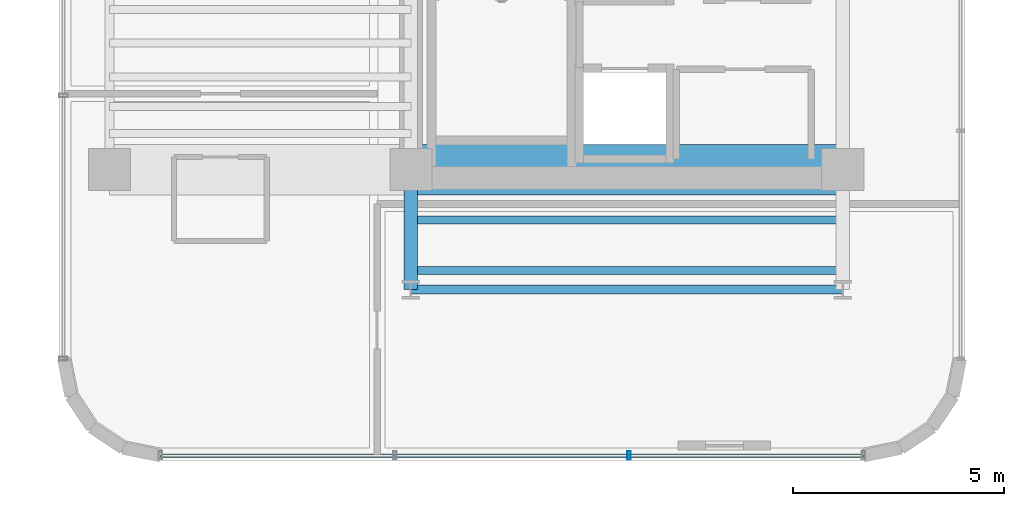
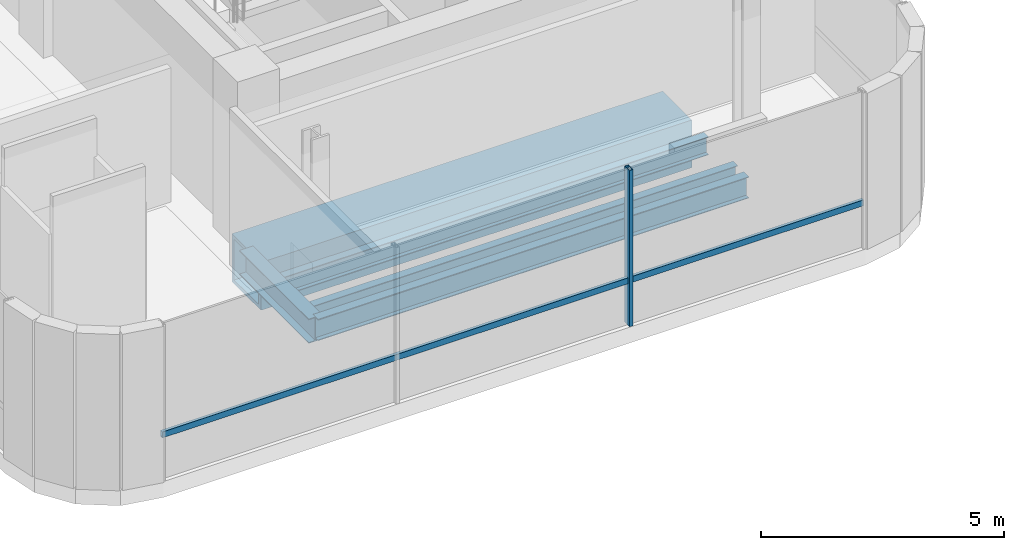
# One storey, part 3 of 37: 5 beams, 2 members, 1 element without a shape of its own.
"""IFC4 building model written with IfcOpenShell, lengths in metres."""

import ifcopenshell
import ifcopenshell.guid

model = None  # the IFC model being written
_history = None  # IfcOwnerHistory: only IFC2X3 demands one
_inside = {}  # id of a spatial element -> (the spatial element, [elements in it])
_under = {}  # id of a project, library or spatial element -> (it, [spatial elements below it])
_declared = {}  # id of a project -> (the project, [libraries it declares])
_typed = {}  # id of a type object -> (the type object, [elements of that type])
_made_of = {}  # id of a material, layer set ... -> (it, [elements and type objects made of it])


def new_model(schema):
    """Start an empty IFC model of exactly this schema.

    Asked for "IFC4X3", IfcOpenShell would pick the latest addendum, in which some entities
    have other attributes; the version numbers below select the first issue.
    IFC2X3 requires an IfcOwnerHistory on every rooted entity: one is made here for all.
    """
    global model, _history
    if schema == "IFC4X3":
        model = ifcopenshell.file(schema_version=(4, 3, 0, 0))
    else:
        model = ifcopenshell.file(schema=schema)
    _inside.clear()
    _under.clear()
    _declared.clear()
    _typed.clear()
    _made_of.clear()
    _history = None
    if model.schema == "IFC2X3":
        org = make("IfcOrganization", Name="unknown")
        user = make(
            "IfcPersonAndOrganization",
            ThePerson=make("IfcPerson", FamilyName="unknown"),
            TheOrganization=org,
        )
        app = make(
            "IfcApplication",
            ApplicationDeveloper=org,
            Version="unknown",
            ApplicationFullName="unknown",
            ApplicationIdentifier="unknown",
        )
        _history = make(
            "IfcOwnerHistory",
            OwningUser=user,
            OwningApplication=app,
            ChangeAction="ADDED",
            CreationDate=0,
        )
    return model


def make(cls, **values):
    """One entity of the class cls with the attributes given. An attribute that is None is left unset."""
    return model.create_entity(
        cls, **{name: value for name, value in values.items() if value is not None}
    )


def rooted(cls, **values):
    """An entity with a GlobalId (a new one), such as an element, a storey or a relation."""
    return make(cls, GlobalId=ifcopenshell.guid.new(), OwnerHistory=_history, **values)


def si_unit(unit_type, name, prefix=None):
    """IfcSIUnit, for example si_unit("LENGTHUNIT", "METRE", prefix="MILLI")."""
    return make("IfcSIUnit", UnitType=unit_type, Prefix=prefix, Name=name)


def assignment(units):
    """IfcUnitAssignment: the units of a project."""
    return None if units is None else make("IfcUnitAssignment", Units=units)


def point(xyz):
    """IfcCartesianPoint."""
    return None if xyz is None else make("IfcCartesianPoint", Coordinates=xyz)


def direction(xyz):
    """IfcDirection."""
    return None if xyz is None else make("IfcDirection", DirectionRatios=xyz)


def frame(location, z_axis=None, x_axis=None):
    """IfcAxis2Placement3D, a coordinate frame: its origin and axes. An axis left out is left unset."""
    return make(
        "IfcAxis2Placement3D",
        Location=point(location),
        Axis=direction(z_axis),
        RefDirection=direction(x_axis),
    )


def frame_2d(location, x_axis=None):
    """IfcAxis2Placement2D, a coordinate frame in the plane: its origin and x axis."""
    return make(
        "IfcAxis2Placement2D", Location=point(location), RefDirection=direction(x_axis)
    )


def origin():
    """The frame at (0, 0, 0) with its axes left unset."""
    return frame((0.0, 0.0, 0.0))


def origin_2d():
    """The frame at (0, 0) in the plane with its x axis left unset."""
    return frame_2d((0.0, 0.0))


def place(relative_to, where):
    """IfcLocalPlacement: puts the frame where relative to a parent placement (None: the world)."""
    return make(
        "IfcLocalPlacement", PlacementRelTo=relative_to, RelativePlacement=where
    )


def context(
    kind, dimensions, precision=None, world=None, true_north=None, identifier=None
):
    """IfcGeometricRepresentationContext, for example the 3D "Model" context."""
    return make(
        "IfcGeometricRepresentationContext",
        ContextIdentifier=identifier,
        ContextType=kind,
        CoordinateSpaceDimension=dimensions,
        Precision=precision,
        WorldCoordinateSystem=world,
        TrueNorth=true_north,
    )


def subcontext(parent, identifier, kind, view, scale=None):
    """IfcGeometricRepresentationSubContext, for example "Body" below "Model"."""
    return make(
        "IfcGeometricRepresentationSubContext",
        ContextIdentifier=identifier,
        ContextType=kind,
        ParentContext=parent,
        TargetScale=scale,
        TargetView=view,
    )


def project(units=None, contexts=None):
    """IfcProject with its units and contexts."""
    return rooted(
        "IfcProject",
        Name="project",
        RepresentationContexts=contexts,
        UnitsInContext=assignment(units),
    )


def spatial(cls, under=None, at=None, **own):
    """A site, building, storey or space (cls), placed at a placement, below another one or the project."""
    s = rooted(cls, ObjectPlacement=at, **own)
    if under is not None:
        _under.setdefault(under.id(), (under, []))[1].append(s)
    return s


def profile(cls, at=None, kind="AREA", **sizes):
    """A parametric profile (cls). Its sizes go by their IFC names, for example OverallWidth=200.0."""
    return make(cls, ProfileType=kind, Position=at, **sizes)


def hollow_rectangle(**sizes):
    """IfcRectangleHollowProfileDef."""
    return profile("IfcRectangleHollowProfileDef", **sizes)


def i_section(**sizes):
    """IfcIShapeProfileDef."""
    return profile("IfcIShapeProfileDef", **sizes)


def extrude(swept, where, along, depth):
    """IfcExtrudedAreaSolid: the profile swept, set in the frame where, extruded along a direction by depth."""
    return make(
        "IfcExtrudedAreaSolid",
        SweptArea=swept,
        Position=where,
        ExtrudedDirection=direction(along),
        Depth=depth,
    )


def shape(context_of_items, identifier, shape_type, items):
    """IfcShapeRepresentation: the items that make up one representation, for example the "Body"."""
    return make(
        "IfcShapeRepresentation",
        ContextOfItems=context_of_items,
        RepresentationIdentifier=identifier,
        RepresentationType=shape_type,
        Items=items,
    )


def source(mapping_origin, context_of_items, identifier, shape_type, items):
    """IfcRepresentationMap: a shape defined once, which mapped items show again and again."""
    return make(
        "IfcRepresentationMap",
        MappingOrigin=mapping_origin,
        MappedRepresentation=shape(context_of_items, identifier, shape_type, items),
    )


def transform(
    local_origin,
    x_axis=None,
    y_axis=None,
    z_axis=None,
    scale=None,
    scale2=None,
    scale3=None,
    uniform=True,
):
    """IfcCartesianTransformationOperator3D, or its non-uniform kind. x_axis, y_axis, z_axis: its Axis1, 2, 3."""
    if uniform:
        return make(
            "IfcCartesianTransformationOperator3D",
            Axis1=direction(x_axis),
            Axis2=direction(y_axis),
            LocalOrigin=point(local_origin),
            Scale=scale,
            Axis3=direction(z_axis),
        )
    return make(
        "IfcCartesianTransformationOperator3DnonUniform",
        Axis1=direction(x_axis),
        Axis2=direction(y_axis),
        LocalOrigin=point(local_origin),
        Scale=scale,
        Axis3=direction(z_axis),
        Scale2=scale2,
        Scale3=scale3,
    )


def mapped(mapping_source, mapping_target):
    """IfcMappedItem: shows the shape of a source again, moved by a transform."""
    return make(
        "IfcMappedItem", MappingSource=mapping_source, MappingTarget=mapping_target
    )


def material(Name=None, Category=None):
    """IfcMaterial."""
    return make("IfcMaterial", Name=Name, Category=Category)


def material_profile(
    of_material, cross_section, Name=None, Category=None, Priority=None
):
    """IfcMaterialProfile: a cross section and its material."""
    return make(
        "IfcMaterialProfile",
        Name=Name,
        Material=of_material,
        Profile=cross_section,
        Priority=Priority,
        Category=Category,
    )


def profile_set(profiles, Name=None, composite=None):
    """IfcMaterialProfileSet."""
    return make(
        "IfcMaterialProfileSet",
        Name=Name,
        MaterialProfiles=profiles,
        CompositeProfile=composite,
    )


def made_of(thing, what):
    """Note that an element or type object is made of a material, layer set ...; save() writes the relation."""
    if what is not None:
        _made_of.setdefault(what.id(), (what, []))[1].append(thing)
    return thing


def type_object(cls, material=None, **own):
    """A type object (cls), such as IfcWallType, which elements share."""
    return made_of(rooted(cls, **own), material)


def element(
    cls,
    number,
    at=None,
    inside=None,
    cuts=None,
    type_object=None,
    material=None,
    context=None,
    identifier="Body",
    shape_type=None,
    held_by="IfcProductDefinitionShape",
    body=None,
    shapes=None,
    **own,
):
    """One element of the class cls, such as IfcWall. Its Tag is "e" and its number.

    at: its placement. inside: the storey or other place that contains it. cuts: it is an
    opening in that element (IfcRelVoidsElement). A single representation is given by context,
    identifier, shape_type and body (its items); several are given by shapes. held_by: the class
    of the entity that holds the representations. save() writes the other relations.
    """
    e = rooted(cls, Tag="e%d" % number, ObjectPlacement=at, **own)
    if body is not None:
        shapes = [shape(context, identifier, shape_type, body)]
    if shapes is not None:
        e.Representation = make(held_by, Representations=shapes)
    if inside is not None:
        _inside.setdefault(inside.id(), (inside, []))[1].append(e)
    if cuts is not None:
        rooted(
            "IfcRelVoidsElement", RelatingBuildingElement=cuts, RelatedOpeningElement=e
        )
    if type_object is not None:
        _typed.setdefault(type_object.id(), (type_object, []))[1].append(e)
    return made_of(e, material)


def aggregate(whole, parts):
    """IfcRelAggregates: a whole, such as a stair, and the parts it consists of."""
    return rooted("IfcRelAggregates", RelatingObject=whole, RelatedObjects=parts)


def save(model, path):
    """Write the relations noted so far, then the file.

    IfcRelAggregates (storeys below a building ...), IfcRelContainedInSpatialStructure (elements
    in a storey), IfcRelDefinesByType, IfcRelAssociatesMaterial and IfcRelDeclares: one each for
    every whole, place, type object, material and project.
    """
    for whole, parts in _under.values():
        aggregate(whole, parts)
    for where, things in _inside.values():
        rooted(
            "IfcRelContainedInSpatialStructure",
            RelatedElements=things,
            RelatingStructure=where,
        )
    for kind, things in _typed.values():
        rooted("IfcRelDefinesByType", RelatedObjects=things, RelatingType=kind)
    for what, things in _made_of.values():
        rooted("IfcRelAssociatesMaterial", RelatedObjects=things, RelatingMaterial=what)
    for by, libraries in _declared.values():
        rooted("IfcRelDeclares", RelatingContext=by, RelatedDefinitions=libraries)
    model.write(path)


model = new_model("IFC4")

# Units and contexts
model_context = context("Model", 3, precision=1e-05, world=origin(), true_north=direction((0.0, 1.0)))
body_context = subcontext(model_context, "Body", "Model", "MODEL_VIEW")
ifc_project = project(units=[si_unit("LENGTHUNIT", "METRE"), si_unit("AREAUNIT", "SQUARE_METRE"), si_unit("VOLUMEUNIT", "CUBIC_METRE"), si_unit("PLANEANGLEUNIT", "RADIAN"), si_unit("MASSUNIT", "GRAM", prefix="KILO")], contexts=[model_context])

# Site, building, storey
site_placement = place(None, origin())
site = spatial("IfcSite", under=ifc_project, at=site_placement, CompositionType="ELEMENT")
building_placement = place(site_placement, origin())
building = spatial("IfcBuilding", under=site, at=building_placement, Name="Valdorenza Pilgrim Sanctuary Tower", CompositionType="ELEMENT")
storey_placement = place(building_placement, frame((0.0, 0.0, 172.300048828125)))
storey = spatial("IfcBuildingStorey", under=building, at=storey_placement, Name="L44", CompositionType="ELEMENT", Elevation=172.300048828125)

# Beams
ifc_material_1 = material(Name="Steel ASTM A992 Grade 50", Category="steel")
ifc_material_profile_1 = material_profile(ifc_material_1, i_section(OverallWidth=0.323974609375, OverallDepth=0.611083984375, WebThickness=0.0126953125, FlangeThickness=0.01904296875, at=origin_2d()), Name="W24X104")
ifc_profile_set_1 = profile_set([ifc_material_profile_1], Name="Steel ASTM A992 Grade 50")
beam_type_1 = type_object("IfcBeamType", Name="STR-BM-GRD-W24B", PredefinedType="BEAM", material=ifc_profile_set_1)
shared_shape_1 = source(origin(), body_context, "Body", "SweptSolid", [
    extrude(i_section(OverallWidth=0.323974609375, OverallDepth=0.611083984375, WebThickness=0.0126953125, FlangeThickness=0.01904296875, at=origin_2d()), origin(), (0.0, 0.0, 1.0), 2.849853515625),
])
beam_1_placement = place(storey_placement, frame((-22.64990234375, -13.449951171875, -0.70556640625), z_axis=(0.0, 1.0, 0.0), x_axis=(-1.0, 0.0, 0.0)))
element("IfcBeam", 1, at=beam_1_placement, inside=storey, type_object=beam_type_1, Name="L44 Floor Girder WA-S-LW", PredefinedType="BEAM", context=body_context, shape_type="MappedRepresentation", body=[
    mapped(shared_shape_1, transform((0.0, 0.0, 0.0), x_axis=(1.0, 0.0, 0.0), y_axis=(0.0, 1.0, 0.0), z_axis=(0.0, 0.0, 1.0), scale=1.0)),
])
ifc_material_2 = material(Name="Steel ASTM A572 Grade 42", Category="steel")
ifc_material_profile_2 = material_profile(ifc_material_2, hollow_rectangle(XDim=1.199951171875, YDim=1.199951171875, WallThickness=0.090087890625, at=origin_2d()), Name="BOX 1200x1200x90")
ifc_profile_set_2 = profile_set([ifc_material_profile_2], Name="Steel ASTM A572 Grade 42")
beam_type_2 = type_object("IfcBeamType", Name="STR-BM-TRF-1200", PredefinedType="BEAM", material=ifc_profile_set_2)
shared_shape_2 = source(origin(), body_context, "Body", "SweptSolid", [
    extrude(hollow_rectangle(XDim=1.199951171875, YDim=1.199951171875, WallThickness=0.090087890625, at=origin_2d()), origin(), (0.0, 0.0, 1.0), 10.25),
])
beam_2_placement = place(storey_placement, frame((-22.64990234375, -10.60009765625, -1.0), z_axis=(1.0, 0.0, 0.0), x_axis=(0.0, 1.0, 0.0)))
element("IfcBeam", 2, at=beam_2_placement, inside=storey, type_object=beam_type_2, Name="L44 Transfer Girder CA-XC-S1", PredefinedType="BEAM", context=body_context, shape_type="MappedRepresentation", body=[
    mapped(shared_shape_2, transform((0.0, 0.0, 0.0), x_axis=(1.0, 0.0, 0.0), y_axis=(0.0, 1.0, 0.0), z_axis=(0.0, 0.0, 1.0), scale=1.0)),
])
ifc_material_profile_3 = material_profile(ifc_material_1, i_section(OverallWidth=0.19091796875, OverallDepth=0.45703125, WebThickness=0.009033203125, FlangeThickness=0.014404296875, at=origin_2d()), Name="W18X50")
ifc_profile_set_3 = profile_set([ifc_material_profile_3], Name="Steel ASTM A992 Grade 50")
beam_type_3 = type_object("IfcBeamType", Name="STR-BM-JST-W18B", PredefinedType="JOIST", material=ifc_profile_set_3)
shared_shape_3 = source(origin(), body_context, "Body", "SweptSolid", [
    extrude(i_section(OverallWidth=0.19091796875, OverallDepth=0.45703125, WebThickness=0.009033203125, FlangeThickness=0.014404296875, at=origin_2d()), origin(), (0.0, 0.0, 1.0), 10.25),
])
for number, where, z_axis, x_axis, name in (
    (3, (-22.64990234375, -13.0, -0.628662109375), (1.0, 0.0, 0.0), (0.0, 1.0, 0.0), "L44 Composite Floor Joist JST-WAS-1"),
    (4, (-22.64990234375, -11.800048828125, -0.628662109375), (1.0, 0.0, 0.0), (0.0, 1.0, 0.0), "L44 Composite Floor Joist JST-WAS-2"),
):
    element("IfcBeam", number, at=place(storey_placement, frame(where, z_axis=z_axis, x_axis=x_axis)), inside=storey, type_object=beam_type_3, Name=name, PredefinedType="JOIST", context=body_context, shape_type="MappedRepresentation", body=[
        mapped(shared_shape_3, transform((0.0, 0.0, 0.0), x_axis=(1.0, 0.0, 0.0), y_axis=(0.0, 1.0, 0.0), z_axis=(0.0, 0.0, 1.0), scale=1.0)),
    ])
ifc_material_profile_4 = material_profile(ifc_material_1, i_section(OverallWidth=0.2109375, OverallDepth=0.5390625, WebThickness=0.01171875, FlangeThickness=0.018798828125, at=origin_2d()), Name="W21X73")
ifc_profile_set_4 = profile_set([ifc_material_profile_4], Name="Steel ASTM A992 Grade 50")
beam_type_4 = type_object("IfcBeamType", Name="STR-BM-SPN-W21B", PredefinedType="SPANDREL", material=ifc_profile_set_4)
shared_shape_4 = source(origin(), body_context, "Body", "SweptSolid", [
    extrude(i_section(OverallWidth=0.2109375, OverallDepth=0.5390625, WebThickness=0.01171875, FlangeThickness=0.018798828125, at=origin_2d()), origin(), (0.0, 0.0, 1.0), 10.25),
])
beam_3_placement = place(storey_placement, frame((-22.64990234375, -13.449951171875, -0.66943359375), z_axis=(1.0, 0.0, 0.0), x_axis=(0.0, 1.0, 0.0)))
element("IfcBeam", 5, at=beam_3_placement, inside=storey, type_object=beam_type_4, Name="L44 South Spandrel WA-S-TIE", PredefinedType="SPANDREL", context=body_context, shape_type="MappedRepresentation", body=[
    mapped(shared_shape_4, transform((0.0, 0.0, 0.0), x_axis=(1.0, 0.0, 0.0), y_axis=(0.0, 1.0, 0.0), z_axis=(0.0, 0.0, 1.0), scale=1.0)),
])

# Curtain wall, members
ifc_material_3 = material(Name="Curtain-wall IGU glazing", Category="glass")
curtain_wall_type = type_object("IfcCurtainWallType", Name="CW-SYS-02", PredefinedType="NOTDEFINED", material=ifc_material_3)
curtain_wall_placement = place(storey_placement, origin())
curtain_wall = element("IfcCurtainWall", 6, at=curtain_wall_placement, inside=storey, type_object=curtain_wall_type, Name="L44 Curtain Wall CW-L44-1-82", PredefinedType="NOTDEFINED")
ifc_material_4 = material(Name="Anodised aluminium AW-6060", Category="aluminium")
ifc_material_profile_5 = material_profile(ifc_material_4, hollow_rectangle(XDim=0.0849609375, YDim=0.199951171875, WallThickness=0.0048828125, at=origin_2d()), Name="ALU-M 200x85x5")
ifc_profile_set_5 = profile_set([ifc_material_profile_5], Name="Anodised aluminium AW-6060")
member_type_1 = type_object("IfcMemberType", Name="CW-MUL-02", PredefinedType="MULLION", material=ifc_profile_set_5)
shared_shape_5 = source(origin(), body_context, "Body", "SweptSolid", [
    extrude(hollow_rectangle(XDim=0.0849609375, YDim=0.199951171875, WallThickness=0.0048828125, at=origin_2d()), origin(), (0.0, 0.0, 1.0), 3.929931640625),
])
member_1_placement = place(storey_placement, frame((-17.47021484375, -17.389892578125, 0.0), z_axis=(0.0, 0.0, 1.0), x_axis=(-1.0, 0.0, 0.0)))
member_1 = element("IfcMember", 7, at=member_1_placement, type_object=member_type_1, Name="CW-L44-1-82 Mullion 2", PredefinedType="MULLION", context=body_context, shape_type="MappedRepresentation", body=[
    mapped(shared_shape_5, transform((0.0, 0.0, 0.0), x_axis=(1.0, 0.0, 0.0), y_axis=(0.0, 1.0, 0.0), z_axis=(0.0, 0.0, 1.0), scale=1.0)),
])
ifc_material_profile_6 = material_profile(ifc_material_4, hollow_rectangle(XDim=0.074951171875, YDim=0.14990234375, WallThickness=0.00390625, at=origin_2d()), Name="ALU-T 150x75x4")
ifc_profile_set_6 = profile_set([ifc_material_profile_6], Name="Anodised aluminium AW-6060")
member_type_2 = type_object("IfcMemberType", Name="CW-TRN-02", PredefinedType="USERDEFINED", material=ifc_profile_set_6)
shared_shape_6 = source(origin(), body_context, "Body", "SweptSolid", [
    extrude(hollow_rectangle(XDim=0.074951171875, YDim=0.14990234375, WallThickness=0.00390625, at=origin_2d()), origin(), (0.0, 0.0, 1.0), 16.67822265625),
])
member_2_placement = place(storey_placement, frame((-11.910888671875, -17.389892578125, 1.119873046875), z_axis=(-1.0, 0.0, 0.0), x_axis=(0.0, -1.0, 0.0)))
member_2 = element("IfcMember", 8, at=member_2_placement, type_object=member_type_2, Name="CW-L44-1-82 Transom 1", ObjectType="TRANSOM", PredefinedType="USERDEFINED", context=body_context, shape_type="MappedRepresentation", body=[
    mapped(shared_shape_6, transform((0.0, 0.0, 0.0), x_axis=(1.0, 0.0, 0.0), y_axis=(0.0, 1.0, 0.0), z_axis=(0.0, 0.0, 1.0), scale=1.0)),
])
aggregate(curtain_wall, [member_1, member_2])

save(model, "model.ifc")
